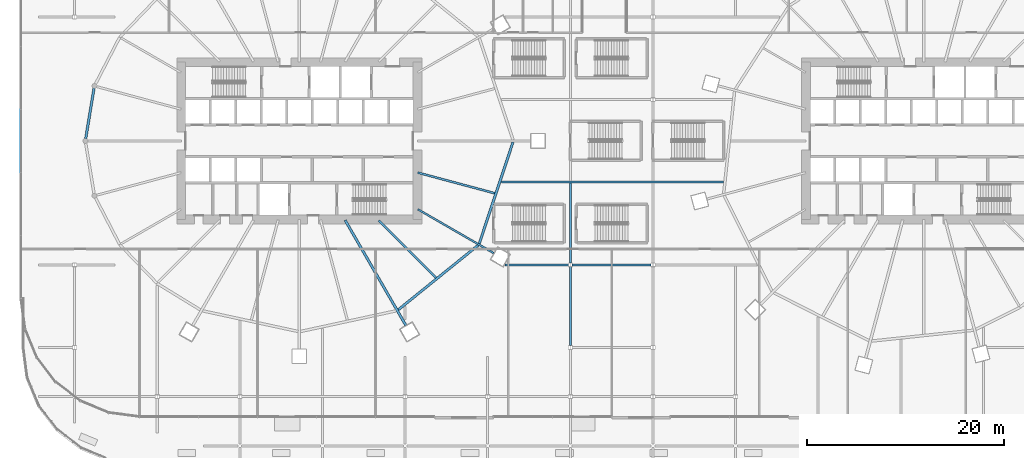
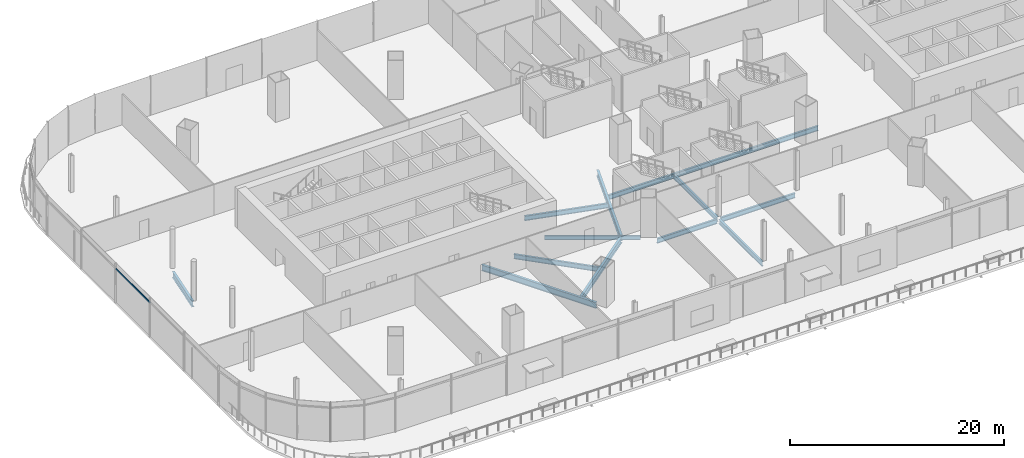
# One storey, part 14 of 52: 12 beams, 1 member, 1 element without a shape of its own.
"""IFC4 building model written with IfcOpenShell, lengths in metres."""

from ifc_helpers import new_model, si_unit, direction, frame, origin, origin_2d, place, context, subcontext, project, spatial, rectangle, i_section, extrude, material, material_profile, profile_set, type_object, element, aggregate, save


model = new_model("IFC4")

# Units and contexts
model_context = context("Model", 3, precision=1e-05, world=origin(), true_north=direction((0.0, 1.0)))
body_context = subcontext(model_context, "Body", "Model", "MODEL_VIEW")
ifc_project = project(units=[si_unit("LENGTHUNIT", "METRE"), si_unit("AREAUNIT", "SQUARE_METRE"), si_unit("VOLUMEUNIT", "CUBIC_METRE"), si_unit("PLANEANGLEUNIT", "RADIAN"), si_unit("MASSUNIT", "GRAM", prefix="KILO")], contexts=[model_context])

# Site, building, storey
site_placement = place(None, origin())
site = spatial("IfcSite", under=ifc_project, at=site_placement, CompositionType="ELEMENT")
building_placement = place(site_placement, origin())
building = spatial("IfcBuilding", under=site, at=building_placement, Name="Rimbun Link Towers", CompositionType="ELEMENT")
storey_placement = place(building_placement, frame((0.0, 0.0, 21.0)))
storey = spatial("IfcBuildingStorey", under=building, at=storey_placement, Name="L04", CompositionType="ELEMENT", Elevation=21.0)

# Curtain wall, member
ifc_material_1 = material(Name="Aluminium 6063-T6 and low-iron glass", Category="aluminium")
curtain_wall_type = type_object("IfcCurtainWallType", Name="CW3 podium shopfront", PredefinedType="NOTDEFINED", material=ifc_material_1)
curtain_wall_placement = place(storey_placement, origin())
curtain_wall = element("IfcCurtainWall", 1, at=curtain_wall_placement, inside=storey, type_object=curtain_wall_type, Name="CW3 L04 PD", PredefinedType="NOTDEFINED")
ifc_material_2 = material(Name="Aluminium 6063-T6", Category="aluminium")
ifc_material_profile_1 = material_profile(ifc_material_2, rectangle(XDim=0.06005859375, YDim=0.1201171875, at=origin_2d()), Name="TRANSOM 60X120")
ifc_profile_set_1 = profile_set([ifc_material_profile_1], Name="Aluminium 6063-T6")
member_type = type_object("IfcMemberType", Name="CW3 transom 60X120", PredefinedType="USERDEFINED", material=ifc_profile_set_1)
member_placement = place(storey_placement, frame((-60.053955078125, -3.169921875, 3.89990234375), z_axis=(0.0, 1.0, 0.0), x_axis=(-1.0, 0.0, 0.0)))
member = element("IfcMember", 2, at=member_placement, type_object=member_type, Name="CW3 transom", ObjectType="TRANSOM", PredefinedType="USERDEFINED", context=body_context, shape_type="SweptSolid", body=[
    extrude(rectangle(XDim=0.06005859375, YDim=0.1201171875, at=origin_2d()), origin(), (0.0, 0.0, 1.0), 6.33984375),
])
aggregate(curtain_wall, [member])

# Beams
ifc_material_3 = material(Name="Steel S355J2", Category="steel")
ifc_material_profile_2 = material_profile(ifc_material_3, i_section(OverallWidth=0.18994140625, OverallDepth=0.453369140625, WebThickness=0.008544921875, FlangeThickness=0.0126953125, at=origin_2d()), Name="UB 457x191x67")
ifc_profile_set_2 = profile_set([ifc_material_profile_2], Name="Steel S355J2")
beam_type_1 = type_object("IfcBeamType", Name="UB 457x191x67", PredefinedType="BEAM", material=ifc_profile_set_2)
beam_1_placement = place(storey_placement, frame((-19.70166015625, -6.9560546875, -0.526611328125), z_axis=(0.866022633403, -0.500004798411, 0.0), x_axis=(0.500004798411, 0.866022633403, 0.0)))
element("IfcBeam", 3, at=beam_1_placement, inside=storey, type_object=beam_type_1, Name="Radial beam T1 L04 22", PredefinedType="BEAM", context=body_context, shape_type="SweptSolid", body=[
    extrude(i_section(OverallWidth=0.18994140625, OverallDepth=0.453369140625, WebThickness=0.008544921875, FlangeThickness=0.0126953125, at=origin_2d()), origin(), (0.0, 0.0, 1.0), 8.93212890625),
])
ifc_material_4 = material(Name="Steel S355J2", Category="steel")
ifc_material_profile_3 = material_profile(ifc_material_4, i_section(OverallWidth=0.209228515625, OverallDepth=0.533203125, WebThickness=0.010009765625, FlangeThickness=0.015625, at=origin_2d()), Name="UB 533x210x92")
ifc_profile_set_3 = profile_set([ifc_material_profile_3], Name="Steel S355J2")
beam_type_2 = type_object("IfcBeamType", Name="UB 533x210x92", PredefinedType="BEAM", material=ifc_profile_set_3)
beam_2_placement = place(storey_placement, frame((-23.67529296875, -8.07470703125, -0.56640625), z_axis=(0.707106781187, -0.707106781187, 0.0), x_axis=(0.707106781187, 0.707106781187, 0.0)))
element("IfcBeam", 4, at=beam_2_placement, inside=storey, type_object=beam_type_2, Name="Radial beam T1 L04 21", PredefinedType="BEAM", context=body_context, shape_type="SweptSolid", body=[
    extrude(i_section(OverallWidth=0.209228515625, OverallDepth=0.533203125, WebThickness=0.010009765625, FlangeThickness=0.015625, at=origin_2d()), origin(), (0.0, 0.0, 1.0), 8.239501953125),
])
beam_3_placement = place(storey_placement, frame((-19.721923828125, -3.222900390625, -0.56640625), z_axis=(0.965927890386, -0.258811341663, 0.0), x_axis=(0.258811341663, 0.965927890386, 0.0)))
element("IfcBeam", 5, at=beam_3_placement, inside=storey, type_object=beam_type_2, Name="Radial beam T1 L04 23", PredefinedType="BEAM", context=body_context, shape_type="SweptSolid", body=[
    extrude(i_section(OverallWidth=0.209228515625, OverallDepth=0.533203125, WebThickness=0.010009765625, FlangeThickness=0.015625, at=origin_2d()), origin(), (0.0, 0.0, 1.0), 8.10791015625),
])
beam_4_placement = place(storey_placement, frame((-10.846923828125, -12.60009765625, -0.56640625), z_axis=(1.0, 0.0, 0.0), x_axis=(0.0, 1.0, 0.0)))
element("IfcBeam", 6, at=beam_4_placement, inside=storey, type_object=beam_type_2, Name="Grid beam L04 -12.6", PredefinedType="BEAM", context=body_context, shape_type="SweptSolid", body=[
    extrude(i_section(OverallWidth=0.209228515625, OverallDepth=0.533203125, WebThickness=0.010009765625, FlangeThickness=0.015625, at=origin_2d()), origin(), (0.0, 0.0, 1.0), 6.461669921875),
])
beam_5_placement = place(storey_placement, frame((-4.014892578125, -12.60009765625, -0.56640625), z_axis=(1.0, 0.0, 0.0), x_axis=(0.0, 1.0, 0.0)))
element("IfcBeam", 7, at=beam_5_placement, inside=storey, type_object=beam_type_2, Name="Grid beam L04 -12.6", PredefinedType="BEAM", context=body_context, shape_type="SweptSolid", body=[
    extrude(i_section(OverallWidth=0.209228515625, OverallDepth=0.533203125, WebThickness=0.010009765625, FlangeThickness=0.015625, at=origin_2d()), origin(), (0.0, 0.0, 1.0), 8.02978515625),
])
beam_6_placement = place(storey_placement, frame((-11.214599609375, -4.199951171875, -0.56640625), z_axis=(1.0, 0.0, 0.0), x_axis=(0.0, 1.0, 0.0)))
element("IfcBeam", 8, at=beam_6_placement, inside=storey, type_object=beam_type_2, Name="Grid beam L04 -4.2", PredefinedType="BEAM", context=body_context, shape_type="SweptSolid", body=[
    extrude(i_section(OverallWidth=0.209228515625, OverallDepth=0.533203125, WebThickness=0.010009765625, FlangeThickness=0.015625, at=origin_2d()), origin(), (0.0, 0.0, 1.0), 22.59033203125),
])
beam_7_placement = place(storey_placement, frame((-4.199951171875, -20.819091796875, -0.56640625), z_axis=(0.0, 1.0, 0.0), x_axis=(-1.0, 0.0, 0.0)))
element("IfcBeam", 9, at=beam_7_placement, inside=storey, type_object=beam_type_2, Name="Grid beam L04 -4.2", PredefinedType="BEAM", context=body_context, shape_type="SweptSolid", body=[
    extrude(i_section(OverallWidth=0.209228515625, OverallDepth=0.533203125, WebThickness=0.010009765625, FlangeThickness=0.015625, at=origin_2d()), origin(), (0.0, 0.0, 1.0), 8.0380859375),
])
beam_8_placement = place(storey_placement, frame((-4.199951171875, -12.4189453125, -0.56640625), z_axis=(0.0, 1.0, 0.0), x_axis=(-1.0, 0.0, 0.0)))
element("IfcBeam", 10, at=beam_8_placement, inside=storey, type_object=beam_type_2, Name="Grid beam L04 -4.2", PredefinedType="BEAM", context=body_context, shape_type="SweptSolid", body=[
    extrude(i_section(OverallWidth=0.209228515625, OverallDepth=0.533203125, WebThickness=0.010009765625, FlangeThickness=0.015625, at=origin_2d()), origin(), (0.0, 0.0, 1.0), 8.1142578125),
])
ifc_material_5 = material(Name="Steel S355J2", Category="steel")
ifc_material_profile_4 = material_profile(ifc_material_5, i_section(OverallWidth=0.253662109375, OverallDepth=0.68359375, WebThickness=0.012451171875, FlangeThickness=0.01904296875, at=origin_2d()), Name="UB 686x254x140")
ifc_profile_set_4 = profile_set([ifc_material_profile_4], Name="Steel S355J2")
beam_type_3 = type_object("IfcBeamType", Name="UB 686x254x140", PredefinedType="BEAM", material=ifc_profile_set_4)
beam_9_placement = place(storey_placement, frame((-27.093994140625, -8.064208984375, -0.641845703125), z_axis=(0.499992594562, -0.866029679274, 0.0), x_axis=(0.866029679274, 0.499992594562, 0.0)))
element("IfcBeam", 11, at=beam_9_placement, inside=storey, type_object=beam_type_3, Name="Radial beam T1 L04 20", PredefinedType="BEAM", context=body_context, shape_type="SweptSolid", body=[
    extrude(i_section(OverallWidth=0.253662109375, OverallDepth=0.68359375, WebThickness=0.012451171875, FlangeThickness=0.01904296875, at=origin_2d()), origin(), (0.0, 0.0, 1.0), 12.360595703125),
])
beam_10_placement = place(storey_placement, frame((-52.62255859375, 5.365478515625, -0.641845703125), z_axis=(-0.163063422521, -0.986615588887, 0.0), x_axis=(0.986615588887, -0.163063422521, 0.0)))
element("IfcBeam", 12, at=beam_10_placement, inside=storey, type_object=beam_type_3, Name="Edge beam T1 L04 11", PredefinedType="BEAM", context=body_context, shape_type="SweptSolid", body=[
    extrude(i_section(OverallWidth=0.253662109375, OverallDepth=0.68359375, WebThickness=0.012451171875, FlangeThickness=0.01904296875, at=origin_2d()), origin(), (0.0, 0.0, 1.0), 5.2177734375),
])
beam_11_placement = place(storey_placement, frame((-21.69091796875, -17.167236328125, -0.641845703125), z_axis=(0.778006680284, 0.628256003102, 0.0), x_axis=(-0.628256003102, 0.778006680284, 0.0)))
element("IfcBeam", 13, at=beam_11_placement, inside=storey, type_object=beam_type_3, Name="Edge beam T1 L04 20-22", PredefinedType="BEAM", context=body_context, shape_type="SweptSolid", body=[
    extrude(i_section(OverallWidth=0.253662109375, OverallDepth=0.68359375, WebThickness=0.012451171875, FlangeThickness=0.01904296875, at=origin_2d()), origin(), (0.0, 0.0, 1.0), 10.4404296875),
])
beam_12_placement = place(storey_placement, frame((-13.457275390625, -10.450439453125, -0.641845703125), z_axis=(0.314841882336, 0.949144135064, 0.0), x_axis=(-0.949144135064, 0.314841882336, 0.0)))
element("IfcBeam", 14, at=beam_12_placement, inside=storey, type_object=beam_type_3, Name="Edge beam T1 L04 22-00", PredefinedType="BEAM", context=body_context, shape_type="SweptSolid", body=[
    extrude(i_section(OverallWidth=0.253662109375, OverallDepth=0.68359375, WebThickness=0.012451171875, FlangeThickness=0.01904296875, at=origin_2d()), origin(), (0.0, 0.0, 1.0), 10.889404296875),
])

save(model, "model.ifc")
